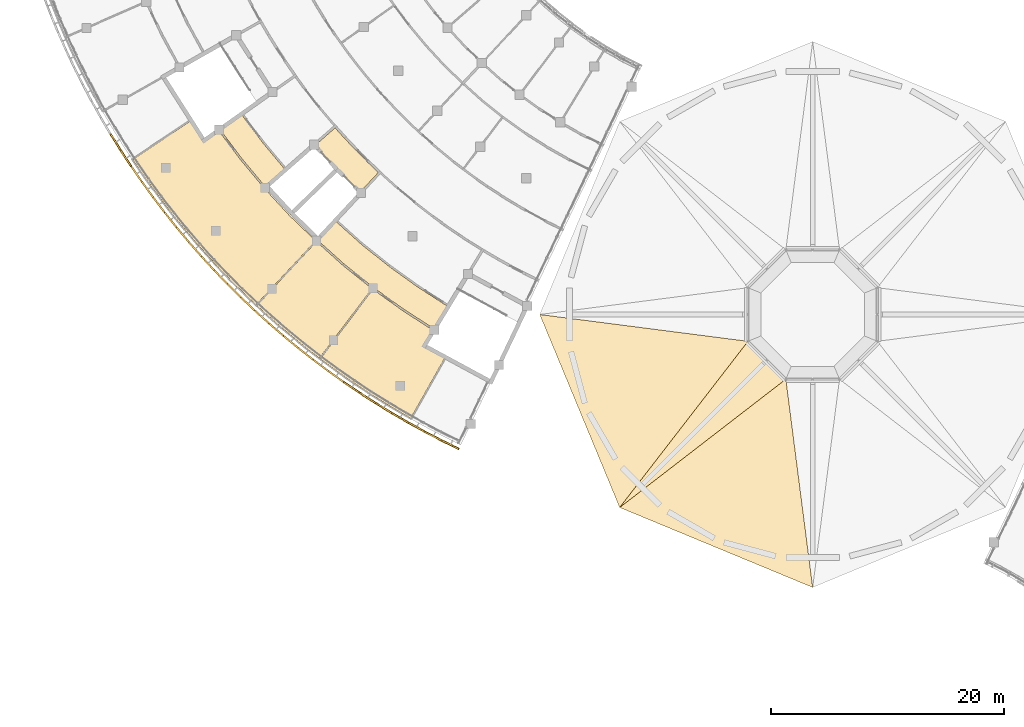
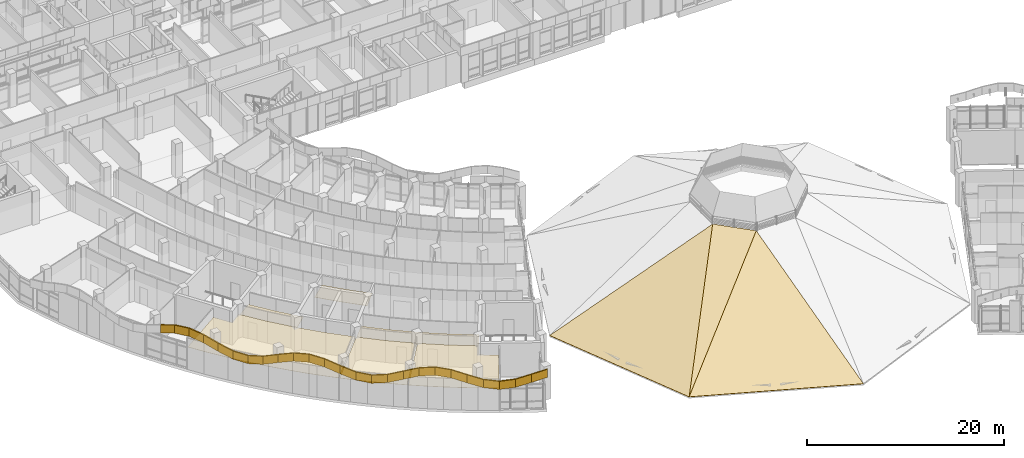
# One storey, part 112 of 137: 34 coverings.
"""IFC4 building model written with IfcOpenShell, lengths in metres."""

from ifc_helpers import new_model, si_unit, direction, frame, origin, place, context, subcontext, project, spatial, polyline, outline, extrude, material, layer, layer_set, type_object, element, save


model = new_model("IFC4")

# Units and contexts
model_context = context("Model", 3, precision=1e-05, world=origin(), true_north=direction((0.0, 1.0)))
body_context = subcontext(model_context, "Body", "Model", "MODEL_VIEW")
ifc_project = project(units=[si_unit("LENGTHUNIT", "METRE"), si_unit("AREAUNIT", "SQUARE_METRE"), si_unit("VOLUMEUNIT", "CUBIC_METRE"), si_unit("PLANEANGLEUNIT", "RADIAN"), si_unit("MASSUNIT", "GRAM", prefix="KILO")], contexts=[model_context])

# Site, building, storey
site_placement = place(None, origin())
site = spatial("IfcSite", under=ifc_project, at=site_placement, CompositionType="ELEMENT")
building_placement = place(site_placement, origin())
building = spatial("IfcBuilding", under=site, at=building_placement, Name="Bougainvillea Quay General Hospital", CompositionType="ELEMENT")
storey_placement = place(building_placement, frame((0.0, 0.0, 16.800048828125)))
storey = spatial("IfcBuildingStorey", under=building, at=storey_placement, Name="L03", CompositionType="ELEMENT", Elevation=16.800048828125)

# Coverings
ifc_material_1 = material(Name="Powder-coated aluminium fascia, red", Category="aluminium")
ifc_layer_1 = layer(ifc_material_1, 0.14990234375)
ifc_layer_set_1 = layer_set([ifc_layer_1], Name="Powder-coated aluminium fascia, red")
covering_type_1 = type_object("IfcCoveringType", Name="Aluminium wave fascia ribbon red 150x1000", PredefinedType="CLADDING", material=ifc_layer_set_1)
covering_1_placement = place(storey_placement, frame((49.122314453125, 89.492919921875, 3.8583984375), z_axis=(-0.155612037262, 0.250927936924, 0.955416173367), x_axis=(0.505584828907, -0.810681536898, 0.295261623839)))
element("IfcCovering", 1, at=covering_1_placement, inside=storey, type_object=covering_type_1, Name="Fascia ribbon red a01 11", PredefinedType="CLADDING", context=body_context, shape_type="SweptSolid", body=[
    extrude(outline(polyline([(0.0, 0.0), (1.7060221770103823, 8.836247705756861e-17), (1.7079347788267367, -0.1498628864467416), (-0.001810338904647696, -0.14996971534040793), (0.0, 0.0)])), origin(), (0.295261623839, -0.00071355253, 0.955416173367), 1.0),
])
covering_2_placement = place(storey_placement, frame((49.98486328125, 88.10986328125, 4.362548828125), z_axis=(-0.042381084845, 0.063098319136, 0.997107038271), x_axis=(0.54715418555, -0.833573864888, 0.076005980103)))
element("IfcCovering", 2, at=covering_2_placement, inside=storey, type_object=covering_type_1, Name="Fascia ribbon red a01 12", PredefinedType="CLADDING", context=body_context, shape_type="SweptSolid", body=[
    extrude(outline(polyline([(0.0, 0.0), (1.634880198615813, 1.1248597539537109e-16), (1.6365567613663652, -0.15004260744411435), (-0.0017191822830425587, -0.14986365253974876), (0.0, 0.0)])), origin(), (0.076005980103, 0.000803255276, 0.997107038271), 1.0),
])
covering_3_placement = place(storey_placement, frame((50.87939453125, 86.7470703125, 4.486572265625), z_axis=(0.112113356171, -0.161374766277, 0.980504349902), x_axis=(0.556829433654, -0.80705027724, -0.196496391376)))
element("IfcCovering", 3, at=covering_3_placement, inside=storey, type_object=covering_type_1, Name="Fascia ribbon red a01 13", PredefinedType="CLADDING", context=body_context, shape_type="SweptSolid", body=[
    extrude(outline(polyline([(0.0, 0.0), (1.6625873310026327, -2.528901567322439e-17), (1.6641410221256507, -0.14995889147711366), (-0.0018451559699992042, -0.15004141993176348), (0.0, 0.0)])), origin(), (-0.196496391376, -0.000622895468, 0.980504349902), 1.0),
])
covering_4_placement = place(storey_placement, frame((51.80517578125, 85.4052734375, 4.159423828125), z_axis=(0.200156626836, -0.275299378448, 0.940291219229), x_axis=(0.551795906872, -0.761360024312, -0.34037066639)))
element("IfcCovering", 4, at=covering_4_placement, inside=storey, type_object=covering_type_1, Name="Fascia ribbon red a01 14", PredefinedType="CLADDING", context=body_context, shape_type="SweptSolid", body=[
    extrude(outline(polyline([(0.0, 0.0), (1.7335265027393516, 1.4203048459560108e-17), (1.7353094930087445, -0.14989431624040542), (-0.0020754903911403702, -0.14995416273462978), (0.0, 0.0)])), origin(), (-0.34037066639, -0.000482184082, 0.940291219229), 1.0),
])
covering_5_placement = place(storey_placement, frame((52.76171875, 84.08544921875, 3.56884765625), z_axis=(0.182431507532, -0.239809159094, 0.953525202747), x_axis=(0.577425553697, -0.758808305124, -0.301313268895)))
element("IfcCovering", 5, at=covering_5_placement, inside=storey, type_object=covering_type_1, Name="Fascia ribbon red a01 15", PredefinedType="CLADDING", context=body_context, shape_type="SweptSolid", body=[
    extrude(outline(polyline([(0.0, 0.0), (1.709436288108035, -1.342919915894858e-16), (1.711238234478092, -0.15011342365819158), (-0.00184316036008114, -0.14989358293522523), (0.0, 0.0)])), origin(), (-0.301313268895, 4.139344e-05, 0.953525202747), 1.0),
])
covering_6_placement = place(storey_placement, frame((53.748779296875, 82.788330078125, 3.05322265625), z_axis=(0.055124148779, -0.069066893059, 0.996087893965), x_axis=(0.621322922173, -0.778555662048, -0.088368022929)))
element("IfcCovering", 6, at=covering_6_placement, inside=storey, type_object=covering_type_1, Name="Fascia ribbon red a01 16", PredefinedType="CLADDING", context=body_context, shape_type="SweptSolid", body=[
    extrude(outline(polyline([(0.0, 0.0), (1.6365736915648816, -8.939246912142984e-17), (1.6383307251599455, -0.15007125242796776), (-0.0017421740777722589, -0.1501135203322076), (0.0, 0.0)])), origin(), (-0.088368022929, -4.374326e-06, 0.996087893965), 1.0),
])
covering_7_placement = place(storey_placement, frame((54.765625, 81.51416015625, 2.90869140625), z_axis=(-0.11933131653, 0.142803847066, 0.982530965496), x_axis=(0.630519424161, -0.753533256353, 0.186099133059)))
element("IfcCovering", 7, at=covering_7_placement, inside=storey, type_object=covering_type_1, Name="Fascia ribbon red a01 17", PredefinedType="CLADDING", context=body_context, shape_type="SweptSolid", body=[
    extrude(outline(polyline([(0.0, 0.0), (1.6591882181725193, -7.520974945260384e-17), (1.6607490817797026, -0.14995284405567186), (-0.001755104568377985, -0.15007128760331737), (0.0, 0.0)])), origin(), (0.186099133059, -0.00012048389, 0.982530965496), 1.0),
])
covering_8_placement = place(storey_placement, frame((55.811767578125, 80.263916015625, 3.218017578125), z_axis=(-0.223312214873, 0.253579384656, 0.941184971388), x_axis=(0.620602806223, -0.707588664622, 0.337891163848)))
element("IfcCovering", 8, at=covering_8_placement, inside=storey, type_object=covering_type_1, Name="Fascia ribbon red a01 18", PredefinedType="CLADDING", context=body_context, shape_type="SweptSolid", body=[
    extrude(outline(polyline([(0.0, 0.0), (1.7317397901550902, 9.568084172184577e-17), (1.7336634329879939, -0.15004459280392513), (-0.0020769792024806365, -0.14994817165463684), (0.0, 0.0)])), origin(), (0.337891163848, 0.000641114198, 0.941184971388), 1.0),
])
covering_9_placement = place(storey_placement, frame((56.886474609375, 79.03857421875, 3.8037109375), z_axis=(-0.207759004773, 0.225987859759, 0.951717228581), x_axis=(0.643930886267, -0.70079861784, 0.306976075527)))
element("IfcCovering", 9, at=covering_9_placement, inside=storey, type_object=covering_type_1, Name="Fascia ribbon red a01 19", PredefinedType="CLADDING", context=body_context, shape_type="SweptSolid", body=[
    extrude(outline(polyline([(0.0, 0.0), (1.7129719274304633, 1.7249656564244376e-16), (1.7147222040940362, -0.15008148075870187), (-0.0016753259870382054, -0.15004758180365702), (0.0, 0.0)])), origin(), (0.306976075527, 7.6660568e-05, 0.951717228581), 1.0),
])
covering_10_placement = place(storey_placement, frame((57.989501953125, 77.838134765625, 4.329833984375), z_axis=(-0.069791727564, 0.072491759228, 0.994924147665), x_axis=(0.689977661679, -0.716801845753, 0.100627731311)))
element("IfcCovering", 10, at=covering_10_placement, inside=storey, type_object=covering_type_1, Name="Fascia ribbon red a01 20", PredefinedType="CLADDING", context=body_context, shape_type="SweptSolid", body=[
    extrude(outline(polyline([(0.0, 0.0), (1.6382904780304812, 4.914146346790549e-17), (1.6401088817292429, -0.15018359027476585), (-0.0017911170336790266, -0.1500800987818991), (0.0, 0.0)])), origin(), (0.100627731311, 9.144613e-06, 0.994924147665), 1.0),
])
covering_11_placement = place(storey_placement, frame((59.119873046875, 76.663818359375, 4.49462890625), z_axis=(0.125234303748, -0.122958985654, 0.984478266399), x_axis=(0.698927490224, -0.693324318038, -0.175504283213)))
element("IfcCovering", 11, at=covering_11_placement, inside=storey, type_object=covering_type_1, Name="Fascia ribbon red a01 21", PredefinedType="CLADDING", context=body_context, shape_type="SweptSolid", body=[
    extrude(outline(polyline([(0.0, 0.0), (1.655707359399568, -2.1369624819689292e-16), (1.6575358482210294, -0.14985439316298804), (-0.0017004745829441324, -0.15018586558921662), (0.0, 0.0)])), origin(), (-0.175504283213, -0.000888572998, 0.984478266399), 1.0),
])
covering_12_placement = place(storey_placement, frame((60.277099609375, 75.515869140625, 4.20361328125), z_axis=(0.243632451899, -0.22973896514, 0.942264950148), x_axis=(0.684236409268, -0.64783036201, -0.334867672806)))
element("IfcCovering", 12, at=covering_12_placement, inside=storey, type_object=covering_type_1, Name="Fascia ribbon red a01 22", PredefinedType="CLADDING", context=body_context, shape_type="SweptSolid", body=[
    extrude(outline(polyline([(0.0, 0.0), (1.7301495429920362, -1.9678269430611905e-16), (1.731817123445661, -0.15011816402526115), (-0.001826259797238803, -0.14985601985032743), (0.0, 0.0)])), origin(), (-0.334867672806, -0.000636734935, 0.942264950148), 1.0),
])
covering_13_placement = place(storey_placement, frame((61.4609375, 74.39501953125, 3.623779296875), z_axis=(0.230996938496, -0.210233198629, 0.949969692464), x_axis=(0.704740228852, -0.637012284331, -0.31234045439)))
element("IfcCovering", 13, at=covering_13_placement, inside=storey, type_object=covering_type_1, Name="Fascia ribbon red a01 23", PredefinedType="CLADDING", context=body_context, shape_type="SweptSolid", body=[
    extrude(outline(polyline([(0.0, 0.0), (1.7158373163675735, -1.3823577699190182e-16), (1.717578868860937, -0.14994430492096217), (-0.0019320205897185912, -0.1501149910080864), (0.0, 0.0)])), origin(), (-0.31234045439, 0.00101190505, 0.949969692464), 1.0),
])
covering_14_placement = place(storey_placement, frame((62.670166015625, 73.302001953125, 3.08740234375), z_axis=(0.085292878697, -0.073645356552, 0.993630457616), x_axis=(0.752484079417, -0.64889845238, -0.112687660025)))
element("IfcCovering", 14, at=covering_14_placement, inside=storey, type_object=covering_type_1, Name="Fascia ribbon red a01 24", PredefinedType="CLADDING", context=body_context, shape_type="SweptSolid", body=[
    extrude(outline(polyline([(0.0, 0.0), (1.640395829236093, -7.034439220357513e-17), (1.6421319778761005, -0.15003556892462674), (-0.0019239306367119327, -0.14994048578163138), (0.0, 0.0)])), origin(), (-0.112687660025, 7.0541343e-05, 0.993630457616), 1.0),
])
covering_15_placement = place(storey_placement, frame((63.904541015625, 72.237548828125, 2.902587890625), z_axis=(-0.127041190684, 0.104551285484, 0.986371920005), x_axis=(0.76163625307, -0.626769321684, 0.164530955768)))
element("IfcCovering", 15, at=covering_15_placement, inside=storey, type_object=covering_type_1, Name="Fascia ribbon red a01 25", PredefinedType="CLADDING", context=body_context, shape_type="SweptSolid", body=[
    extrude(outline(polyline([(0.0, 0.0), (1.6527505462542587, 8.409343100340694e-17), (1.6544978798994163, -0.15002550520164526), (-0.001755592280246437, -0.15003534088294232), (0.0, 0.0)])), origin(), (0.164530955768, -4.528419e-06, 0.986371920005), 1.0),
])
covering_16_placement = place(storey_placement, frame((65.163330078125, 71.20166015625, 3.175048828125), z_axis=(-0.261378430259, 0.204121577333, 0.943406433019), x_axis=(0.742131724306, -0.582457530033, 0.331637949407)))
element("IfcCovering", 16, at=covering_16_placement, inside=storey, type_object=covering_type_1, Name="Fascia ribbon red a01 26", PredefinedType="CLADDING", context=body_context, shape_type="SweptSolid", body=[
    extrude(outline(polyline([(0.0, 0.0), (1.7277636772724323, 8.066464163292153e-17), (1.7295959428629155, -0.14975309612836854), (-0.001884392290124133, -0.15002544197635287), (0.0, 0.0)])), origin(), (0.331637949407, 0.000756736739, 0.943406433019), 1.0),
])
covering_17_placement = place(storey_placement, frame((66.445556640625, 70.1953125, 3.74853515625), z_axis=(-0.254074576962, 0.189974378502, 0.94834373771), x_axis=(0.759441271568, -0.567983099367, 0.317244627807)))
element("IfcCovering", 17, at=covering_17_placement, inside=storey, type_object=covering_type_1, Name="Fascia ribbon red a01 27", PredefinedType="CLADDING", context=body_context, shape_type="SweptSolid", body=[
    extrude(outline(polyline([(0.0, 0.0), (1.7189505351475565, -1.9805663185878952e-16), (1.7207660542475776, -0.1499048435861339), (-0.0017818149802475045, -0.1497536798754644), (0.0, 0.0)])), origin(), (0.317244627807, 3.5682118e-05, 0.94834373771), 1.0),
])
covering_18_placement = place(storey_placement, frame((67.7509765625, 69.218994140625, 4.294189453125), z_axis=(-0.101086244235, 0.072892716899, 0.992203720538), x_axis=(0.808182098423, -0.57559573104, 0.124624436594)))
element("IfcCovering", 18, at=covering_18_placement, inside=storey, type_object=covering_type_1, Name="Fascia ribbon red a01 28", PredefinedType="CLADDING", context=body_context, shape_type="SweptSolid", body=[
    extrude(outline(polyline([(0.0, 0.0), (1.6427579150017313, -1.0793232627093197e-16), (1.6446955942409673, -0.14999512347151703), (-0.0017252043537904077, -0.1499051018863004), (0.0, 0.0)])), origin(), (0.124624436594, -0.000725778255, 0.992203720538), 1.0),
])
covering_19_placement = place(storey_placement, frame((69.07861328125, 68.2734375, 4.4990234375), z_axis=(0.127081560386, -0.086010997157, 0.988156053151), x_axis=(0.817913323998, -0.554499949085, -0.153452275615)))
element("IfcCovering", 19, at=covering_19_placement, inside=storey, type_object=covering_type_1, Name="Fascia ribbon red a01 29", PredefinedType="CLADDING", context=body_context, shape_type="SweptSolid", body=[
    extrude(outline(polyline([(0.0, 0.0), (1.6497676417897218, -9.263152311173029e-17), (1.6515594653544408, -0.15010919004794945), (-0.0015626565885740473, -0.14999953682804004), (0.0, 0.0)])), origin(), (-0.153452275615, -0.000117178179, 0.988156053151), 1.0),
])
covering_20_placement = place(storey_placement, frame((70.427978515625, 67.358642578125, 4.245361328125), z_axis=(0.276059381022, -0.177067626572, 0.944689511834), x_axis=(0.793990094923, -0.511877445647, -0.327965257005)))
element("IfcCovering", 20, at=covering_20_placement, inside=storey, type_object=covering_type_1, Name="Fascia ribbon red a01 30", PredefinedType="CLADDING", context=body_context, shape_type="SweptSolid", body=[
    extrude(outline(polyline([(0.0, 0.0), (1.7256026554676014, 2.5099280293039428e-17), (1.7273598432631028, -0.14995903200882815), (-0.0018440938313607886, -0.15011014444671125), (0.0, 0.0)])), origin(), (-0.327965257005, -0.000718629175, 0.944689511834), 1.0),
])
covering_21_placement = place(storey_placement, frame((71.798095703125, 66.475341796875, 3.678955078125), z_axis=(0.273991015581, -0.168749087641, 0.946811844455), x_axis=(0.807497749104, -0.494369004977, -0.32178668728)))
element("IfcCovering", 21, at=covering_21_placement, inside=storey, type_object=covering_type_1, Name="Fascia ribbon red a01 31", PredefinedType="CLADDING", context=body_context, shape_type="SweptSolid", body=[
    extrude(outline(polyline([(0.0, 0.0), (1.7215323555137112, -4.9873299934333204e-18), (1.7233952470473477, -0.15009383100583845), (-0.0018611950057819907, -0.1499577781989137), (0.0, 0.0)])), origin(), (-0.32178668728, 0.000811842688, 0.946811844455), 1.0),
])
covering_22_placement = place(storey_placement, frame((73.188232421875, 65.624267578125, 3.12451171875), z_axis=(0.117931060668, -0.068451048384, 0.990659739217), x_axis=(0.856586859907, -0.497660198731, -0.13635717082)))
element("IfcCovering", 22, at=covering_22_placement, inside=storey, type_object=covering_type_1, Name="Fascia ribbon red a01 32", PredefinedType="CLADDING", context=body_context, shape_type="SweptSolid", body=[
    extrude(outline(polyline([(0.0, 0.0), (1.6453956271409411, 1.7806326617179902e-17), (1.6472743702561294, -0.14997683617017882), (-0.0017569905057943501, -0.1500935199855137), (0.0, 0.0)])), origin(), (-0.13635717082, -5.5326496e-05, 0.990659739217), 1.0),
])
covering_23_placement = place(storey_placement, frame((74.59765625, 64.805419921875, 2.900146484375), z_axis=(-0.124435193614, 0.068462485706, 0.989863005997), x_axis=(0.867239797774, -0.477204258004, 0.142025453004)))
element("IfcCovering", 23, at=covering_23_placement, inside=storey, type_object=covering_type_1, Name="Fascia ribbon red a01 33", PredefinedType="CLADDING", context=body_context, shape_type="SweptSolid", body=[
    extrude(outline(polyline([(0.0, 0.0), (1.6468588152994303, 5.468444707473763e-18), (1.6485214099475363, -0.14985056877216518), (-0.0016465249874681577, -0.14997956510000102), (0.0, 0.0)])), origin(), (0.142025453004, 7.611979e-06, 0.989863005997), 1.0),
])
covering_24_placement = place(storey_placement, frame((76.02587890625, 64.01953125, 3.134521484375), z_axis=(-0.286856867987, 0.150487401885, 0.946079636797), x_axis=(0.839259903414, -0.436704187382, 0.323932504149)))
element("IfcCovering", 24, at=covering_24_placement, inside=storey, type_object=covering_type_1, Name="Fascia ribbon red a01 34", PredefinedType="CLADDING", context=body_context, shape_type="SweptSolid", body=[
    extrude(outline(polyline([(0.0, 0.0), (1.722990336405798, -3.426078865054194e-17), (1.7246923478923575, -0.15001212414104478), (-0.0018985038145609178, -0.14984835983125436), (0.0, 0.0)])), origin(), (0.323932504149, -0.001026446942, 0.946079636797), 1.0),
])
covering_25_placement = place(storey_placement, frame((77.471923828125, 63.26708984375, 3.693359375), z_axis=(-0.292730415669, 0.143651473673, 0.945342878459), x_axis=(0.848470985186, -0.416857488275, 0.326077938178)))
element("IfcCovering", 25, at=covering_25_placement, inside=storey, type_object=covering_type_1, Name="Fascia ribbon red a01 35", PredefinedType="CLADDING", context=body_context, shape_type="SweptSolid", body=[
    extrude(outline(polyline([(0.0, 0.0), (1.7206813705805106, -1.0527603094834248e-16), (1.7206210285527126, -0.14991147036214236), (-0.002054507842168831, -0.1500077070109286), (0.0, 0.0)])), origin(), (0.326077938178, 0.000142758427, 0.945342878459), 1.0),
])
ifc_material_2 = material(Name="Standing seam zinc-titanium roofing, grey")
ifc_layer_2 = layer(ifc_material_2, 0.0400390625)
ifc_layer_set_2 = layer_set([ifc_layer_2], Name="Standing seam zinc-titanium roofing, grey")
covering_type_2 = type_object("IfcCoveringType", Name="Standing seam metal roofing RP1 40", PredefinedType="ROOFING", material=ifc_layer_set_2)
covering_26_placement = place(storey_placement, frame((103.656982421875, 71.7041015625, 9.0), z_axis=(-0.461671016752, -0.191234000574, 0.866192489759), x_axis=(-0.886951424039, 0.114164949243, -0.447530485844)))
element("IfcCovering", 26, at=covering_26_placement, inside=storey, type_object=covering_type_2, Name="Roof covering RP109", PredefinedType="ROOFING", context=body_context, shape_type="SweptSolid", body=[
    extrude(outline(polyline([(0.0, 0.0), (20.110361829373563, 0.0), (12.149233892160026, 16.0256239979735), (0.0, 0.0)])), origin(), (0.447530485844, 0.222321917328, -0.866192489759), 0.0400390625),
])
covering_27_placement = place(storey_placement, frame((92.66796875, 57.468017578125, 0.0), z_axis=(-0.318535569119, -0.318535569119, 0.892787870892), x_axis=(0.546436851628, 0.707899830159, 0.447531672223)))
element("IfcCovering", 27, at=covering_27_placement, inside=storey, type_object=covering_type_2, Name="Roof covering RP110", PredefinedType="ROOFING", context=body_context, shape_type="SweptSolid", body=[
    extrude(outline(polyline([(0.0, 0.0), (20.110308518042036, 1.6653345369377348e-15), (19.58602687388627, -4.562023672257633), (0.0, 0.0)])), origin(), (-0.447531672223, 0.051431701758, -0.892787870892), 0.0400390625),
])
covering_28_placement = place(storey_placement, frame((106.904052734375, 68.45703125, 9.0), z_axis=(-0.191234000574, -0.461671016752, 0.866192489759), x_axis=(-0.707899830159, -0.546436851628, -0.447531672223)))
element("IfcCovering", 28, at=covering_28_placement, inside=storey, type_object=covering_type_2, Name="Roof covering RP111", PredefinedType="ROOFING", context=body_context, shape_type="SweptSolid", body=[
    extrude(outline(polyline([(0.0, 0.0), (20.110308518042036, -8.881784197001252e-16), (12.149266099116737, 16.025666481029052), (0.0, 0.0)])), origin(), (0.447531672223, 0.22231952915, -0.866192489759), 0.0400390625),
])
ifc_material_3 = material(Name="Mineral fibre ceiling tile")
ifc_layer_3 = layer(ifc_material_3, 0.030029296875)
ifc_layer_set_3 = layer_set([ifc_layer_3], Name="Mineral fibre ceiling tile")
covering_type_3 = type_object("IfcCoveringType", Name="Suspended ceiling mineral fibre tile", PredefinedType="CEILING", material=ifc_layer_set_3)
covering_29_placement = place(storey_placement, frame((0.0, 0.0, 2.699951171875)))
element("IfcCovering", 29, at=covering_29_placement, inside=storey, type_object=covering_type_3, Name="Ceiling Lift Lobby LB-W1", PredefinedType="CEILING", context=body_context, shape_type="SweptSolid", body=[
    extrude(outline(polyline([(70.4365234375, 84.485107421875), (72.00341796875, 86.168701171875), (71.1474609375, 86.9853515625), (71.145751953125, 86.983642578125), (71.075927734375, 87.053466796875), (71.004638671875, 87.12158203125), (71.00634765625, 87.12353515625), (70.169921875, 87.96337890625), (70.16796875, 87.961669921875), (70.100341796875, 88.033447265625), (70.030517578125, 88.103271484375), (70.032470703125, 88.10498046875), (69.218505859375, 88.96533203125), (69.216552734375, 88.9638671875), (69.150390625, 89.037109375), (69.08251953125, 89.10888671875), (69.08447265625, 89.110595703125), (68.292724609375, 89.98974609375), (66.56396484375, 88.4736328125), (67.4599609375, 87.47705078125), (68.449951171875, 86.430908203125), (69.467041015625, 85.409912109375), (70.4365234375, 84.485107421875)])), origin(), (0.0, 0.0, 1.0), 0.030029296875),
])
covering_30_placement = place(storey_placement, frame((0.0, 0.0, 2.39990234375)))
element("IfcCovering", 30, at=covering_30_placement, inside=storey, type_object=covering_type_3, Name="Ceiling Clinic Corridor 03W1", PredefinedType="CEILING", context=body_context, shape_type="SweptSolid", body=[
    extrude(outline(polyline([(66.8310546875, 80.4619140625), (66.904296875, 80.39404296875), (66.83935546875, 80.323974609375), (69.113525390625, 78.27734375), (71.584228515625, 76.306884765625), (74.152099609375, 74.463134765625), (76.766845703125, 72.780029296875), (77.93701171875, 74.701904296875), (75.478271484375, 76.284423828125), (75.476318359375, 76.28125), (75.416748046875, 76.323974609375), (75.355224609375, 76.363525390625), (75.357421875, 76.36669921875), (73.001220703125, 78.0576171875), (72.998779296875, 78.0546875), (72.941650390625, 78.10009765625), (72.88232421875, 78.142822265625), (72.884521484375, 78.145751953125), (70.617431640625, 79.955322265625), (70.614501953125, 79.9521484375), (70.560546875, 80.000732421875), (70.503662109375, 80.046142578125), (70.50634765625, 80.049560546875), (68.296875, 82.0361328125), (68.346923828125, 82.092041015625), (66.8310546875, 80.4619140625)])), origin(), (0.0, 0.0, 1.0), 0.030029296875),
])
covering_31_placement = place(storey_placement, frame((0.0, 0.0, 2.699951171875)))
element("IfcCovering", 31, at=covering_31_placement, inside=storey, type_object=covering_type_3, Name="Ceiling Eye Examination Room 03W111", PredefinedType="CEILING", context=body_context, shape_type="SweptSolid", body=[
    extrude(outline(polyline([(67.0244140625, 70.2001953125), (68.56103515625, 69.068603515625), (69.99609375, 68.0712890625), (71.455078125, 67.109130859375), (72.937744140625, 66.184814453125), (74.769287109375, 65.11669921875), (77.66943359375, 70.2529296875), (77.354248046875, 70.4287109375), (77.353515625, 70.427490234375), (77.26806640625, 70.4765625), (77.2685546875, 70.477783203125), (75.87060546875, 71.304443359375), (75.92138671875, 71.390380859375), (76.68896484375, 72.652099609375), (74.12939453125, 74.29931640625), (74.127197265625, 74.29638671875), (74.06787109375, 74.3388671875), (74.00634765625, 74.37841796875), (74.00830078125, 74.381591796875), (71.55322265625, 76.14453125), (71.55078125, 76.1416015625), (71.53271484375, 76.156005859375), (67.0244140625, 70.2001953125)])), origin(), (0.0, 0.0, 1.0), 0.030029296875),
])
covering_32_placement = place(storey_placement, frame((0.0, 0.0, 2.699951171875)))
element("IfcCovering", 32, at=covering_32_placement, inside=storey, type_object=covering_type_3, Name="Ceiling Laser Treatment Room 03W112", PredefinedType="CEILING", context=body_context, shape_type="SweptSolid", body=[
    extrude(outline(polyline([(65.768310546875, 71.170166015625), (66.944580078125, 70.260498046875), (71.453125, 76.21630859375), (71.434326171875, 76.229736328125), (71.4365234375, 76.23291015625), (69.073486328125, 78.1171875), (69.070556640625, 78.114013671875), (69.0166015625, 78.162841796875), (68.959716796875, 78.2080078125), (68.96240234375, 78.21142578125), (66.7373046875, 80.214111328125), (66.734130859375, 80.212646484375), (66.698974609375, 80.246337890625), (61.592041015625, 74.7587890625), (62.46435546875, 73.960205078125), (63.781494140625, 72.80712890625), (65.768310546875, 71.170166015625)])), origin(), (0.0, 0.0, 1.0), 0.030029296875),
])
covering_33_placement = place(storey_placement, frame((0.0, 0.0, 2.39990234375)))
element("IfcCovering", 33, at=covering_33_placement, inside=storey, type_object=covering_type_3, Name="Ceiling Clinic Corridor 03W1", PredefinedType="CEILING", context=body_context, shape_type="SweptSolid", body=[
    extrude(outline(polyline([(64.091064453125, 86.43798828125), (64.033447265625, 86.389892578125), (62.131103515625, 88.67236328125), (62.1279296875, 88.669921875), (62.084228515625, 88.728515625), (62.037353515625, 88.78466796875), (62.040283203125, 88.787109375), (60.285888671875, 91.12548828125), (58.4521484375, 89.821533203125), (60.31982421875, 87.33251953125), (62.343505859375, 84.904541015625), (64.486572265625, 82.58251953125), (66.69287109375, 80.460205078125), (66.7578125, 80.530029296875), (66.8310546875, 80.4619140625), (65.68896484375, 81.551025390625), (64.575927734375, 82.6689453125), (63.491943359375, 83.81396484375), (62.43701171875, 84.987060546875), (64.091064453125, 86.43798828125)])), origin(), (0.0, 0.0, 1.0), 0.030029296875),
])
covering_34_placement = place(storey_placement, frame((0.0, 0.0, 2.699951171875)))
element("IfcCovering", 34, at=covering_34_placement, inside=storey, type_object=covering_type_3, Name="Ceiling Eye Examination Room 03W111", PredefinedType="CEILING", context=body_context, shape_type="SweptSolid", body=[
    extrude(outline(polyline([(60.1552734375, 87.295654296875), (60.158203125, 87.298095703125), (58.329833984375, 89.734375), (57.127685546875, 88.87744140625), (57.04541015625, 88.8203125), (56.11962890625, 90.155517578125), (56.11865234375, 90.15478515625), (56.0634765625, 90.236572265625), (56.064453125, 90.2373046875), (55.866943359375, 90.53857421875), (50.953857421875, 87.2763671875), (52.02978515625, 85.699951171875), (53.556884765625, 83.619140625), (54.6328125, 82.240478515625), (56.3388671875, 80.19482421875), (58.065673828125, 78.27392578125), (59.273681640625, 77.010986328125), (59.919921875, 76.36279296875), (61.51904296875, 74.8271484375), (66.625732421875, 80.314453125), (66.589599609375, 80.34716796875), (66.5908203125, 80.350341796875), (64.431884765625, 82.427001953125), (64.4287109375, 82.424072265625), (64.37939453125, 82.4775390625), (64.326904296875, 82.52783203125), (64.330078125, 82.531005859375), (62.2802734375, 84.751708984375), (62.27734375, 84.749267578125), (62.230712890625, 84.805419921875), (62.180908203125, 84.859130859375), (62.183837890625, 84.86181640625), (60.2490234375, 87.183349609375), (60.24609375, 87.180908203125), (60.2021484375, 87.239501953125), (60.1552734375, 87.295654296875)])), origin(), (0.0, 0.0, 1.0), 0.030029296875),
])

save(model, "model.ifc")
